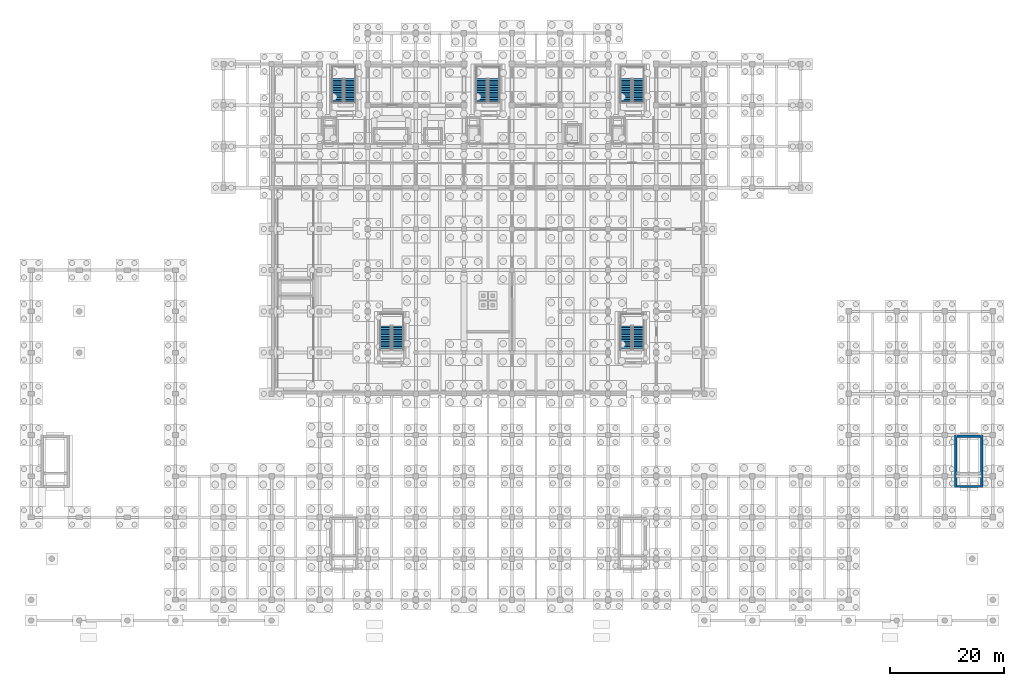
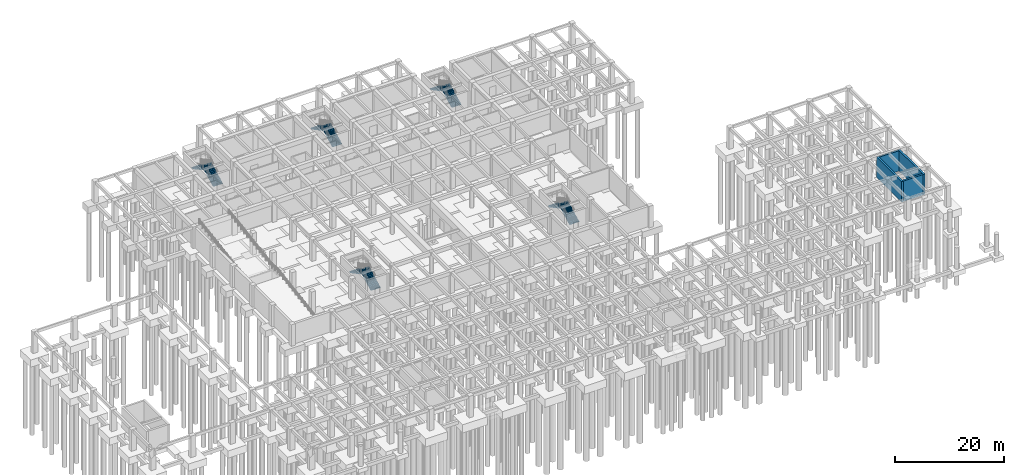
# One storey, part 21 of 26: 10 stair flights, 4 walls, 5 elements without a shape of their own.
"""IFC4 building model written with IfcOpenShell, lengths in metres."""

import ifcopenshell
import ifcopenshell.guid

model = None  # the IFC model being written
_history = None  # IfcOwnerHistory: only IFC2X3 demands one
_inside = {}  # id of a spatial element -> (the spatial element, [elements in it])
_under = {}  # id of a project, library or spatial element -> (it, [spatial elements below it])
_declared = {}  # id of a project -> (the project, [libraries it declares])
_typed = {}  # id of a type object -> (the type object, [elements of that type])
_made_of = {}  # id of a material, layer set ... -> (it, [elements and type objects made of it])


def new_model(schema):
    """Start an empty IFC model of exactly this schema.

    Asked for "IFC4X3", IfcOpenShell would pick the latest addendum, in which some entities
    have other attributes; the version numbers below select the first issue.
    IFC2X3 requires an IfcOwnerHistory on every rooted entity: one is made here for all.
    """
    global model, _history
    if schema == "IFC4X3":
        model = ifcopenshell.file(schema_version=(4, 3, 0, 0))
    else:
        model = ifcopenshell.file(schema=schema)
    _inside.clear()
    _under.clear()
    _declared.clear()
    _typed.clear()
    _made_of.clear()
    _history = None
    if model.schema == "IFC2X3":
        org = make("IfcOrganization", Name="unknown")
        user = make(
            "IfcPersonAndOrganization",
            ThePerson=make("IfcPerson", FamilyName="unknown"),
            TheOrganization=org,
        )
        app = make(
            "IfcApplication",
            ApplicationDeveloper=org,
            Version="unknown",
            ApplicationFullName="unknown",
            ApplicationIdentifier="unknown",
        )
        _history = make(
            "IfcOwnerHistory",
            OwningUser=user,
            OwningApplication=app,
            ChangeAction="ADDED",
            CreationDate=0,
        )
    return model


def make(cls, **values):
    """One entity of the class cls with the attributes given. An attribute that is None is left unset."""
    return model.create_entity(
        cls, **{name: value for name, value in values.items() if value is not None}
    )


def rooted(cls, **values):
    """An entity with a GlobalId (a new one), such as an element, a storey or a relation."""
    return make(cls, GlobalId=ifcopenshell.guid.new(), OwnerHistory=_history, **values)


def si_unit(unit_type, name, prefix=None):
    """IfcSIUnit, for example si_unit("LENGTHUNIT", "METRE", prefix="MILLI")."""
    return make("IfcSIUnit", UnitType=unit_type, Prefix=prefix, Name=name)


def assignment(units):
    """IfcUnitAssignment: the units of a project."""
    return None if units is None else make("IfcUnitAssignment", Units=units)


def point(xyz):
    """IfcCartesianPoint."""
    return None if xyz is None else make("IfcCartesianPoint", Coordinates=xyz)


def direction(xyz):
    """IfcDirection."""
    return None if xyz is None else make("IfcDirection", DirectionRatios=xyz)


def frame(location, z_axis=None, x_axis=None):
    """IfcAxis2Placement3D, a coordinate frame: its origin and axes. An axis left out is left unset."""
    return make(
        "IfcAxis2Placement3D",
        Location=point(location),
        Axis=direction(z_axis),
        RefDirection=direction(x_axis),
    )


def frame_2d(location, x_axis=None):
    """IfcAxis2Placement2D, a coordinate frame in the plane: its origin and x axis."""
    return make(
        "IfcAxis2Placement2D", Location=point(location), RefDirection=direction(x_axis)
    )


def origin():
    """The frame at (0, 0, 0) with its axes left unset."""
    return frame((0.0, 0.0, 0.0))


def place(relative_to, where):
    """IfcLocalPlacement: puts the frame where relative to a parent placement (None: the world)."""
    return make(
        "IfcLocalPlacement", PlacementRelTo=relative_to, RelativePlacement=where
    )


def context(
    kind, dimensions, precision=None, world=None, true_north=None, identifier=None
):
    """IfcGeometricRepresentationContext, for example the 3D "Model" context."""
    return make(
        "IfcGeometricRepresentationContext",
        ContextIdentifier=identifier,
        ContextType=kind,
        CoordinateSpaceDimension=dimensions,
        Precision=precision,
        WorldCoordinateSystem=world,
        TrueNorth=true_north,
    )


def subcontext(parent, identifier, kind, view, scale=None):
    """IfcGeometricRepresentationSubContext, for example "Body" below "Model"."""
    return make(
        "IfcGeometricRepresentationSubContext",
        ContextIdentifier=identifier,
        ContextType=kind,
        ParentContext=parent,
        TargetScale=scale,
        TargetView=view,
    )


def project(units=None, contexts=None):
    """IfcProject with its units and contexts."""
    return rooted(
        "IfcProject",
        Name="project",
        RepresentationContexts=contexts,
        UnitsInContext=assignment(units),
    )


def spatial(cls, under=None, at=None, **own):
    """A site, building, storey or space (cls), placed at a placement, below another one or the project."""
    s = rooted(cls, ObjectPlacement=at, **own)
    if under is not None:
        _under.setdefault(under.id(), (under, []))[1].append(s)
    return s


def polyline(points):
    """IfcPolyline through the points."""
    return make("IfcPolyline", Points=[point(p) for p in points])


def profile(cls, at=None, kind="AREA", **sizes):
    """A parametric profile (cls). Its sizes go by their IFC names, for example OverallWidth=200.0."""
    return make(cls, ProfileType=kind, Position=at, **sizes)


def rectangle(**sizes):
    """IfcRectangleProfileDef."""
    return profile("IfcRectangleProfileDef", **sizes)


def outline(outer, holes=None, kind="AREA"):
    """IfcArbitraryClosedProfileDef: a profile drawn as a closed curve; with holes, ...WithVoids."""
    if holes is None:
        return make("IfcArbitraryClosedProfileDef", ProfileType=kind, OuterCurve=outer)
    return make(
        "IfcArbitraryProfileDefWithVoids",
        ProfileType=kind,
        OuterCurve=outer,
        InnerCurves=holes,
    )


def extrude(swept, where, along, depth):
    """IfcExtrudedAreaSolid: the profile swept, set in the frame where, extruded along a direction by depth."""
    return make(
        "IfcExtrudedAreaSolid",
        SweptArea=swept,
        Position=where,
        ExtrudedDirection=direction(along),
        Depth=depth,
    )


def shape(context_of_items, identifier, shape_type, items):
    """IfcShapeRepresentation: the items that make up one representation, for example the "Body"."""
    return make(
        "IfcShapeRepresentation",
        ContextOfItems=context_of_items,
        RepresentationIdentifier=identifier,
        RepresentationType=shape_type,
        Items=items,
    )


def material(Name=None, Category=None):
    """IfcMaterial."""
    return make("IfcMaterial", Name=Name, Category=Category)


def layer(
    of_material, thickness, ventilated=None, Name=None, Category=None, Priority=None
):
    """IfcMaterialLayer: one layer of a wall or slab, of a material (None: an air gap)."""
    return make(
        "IfcMaterialLayer",
        Material=of_material,
        LayerThickness=thickness,
        IsVentilated=ventilated,
        Name=Name,
        Category=Category,
        Priority=Priority,
    )


def layer_set(layers, Name=None):
    """IfcMaterialLayerSet."""
    return make("IfcMaterialLayerSet", MaterialLayers=layers, LayerSetName=Name)


def made_of(thing, what):
    """Note that an element or type object is made of a material, layer set ...; save() writes the relation."""
    if what is not None:
        _made_of.setdefault(what.id(), (what, []))[1].append(thing)
    return thing


def type_object(cls, material=None, **own):
    """A type object (cls), such as IfcWallType, which elements share."""
    return made_of(rooted(cls, **own), material)


def element(
    cls,
    number,
    at=None,
    inside=None,
    cuts=None,
    type_object=None,
    material=None,
    context=None,
    identifier="Body",
    shape_type=None,
    held_by="IfcProductDefinitionShape",
    body=None,
    shapes=None,
    **own,
):
    """One element of the class cls, such as IfcWall. Its Tag is "e" and its number.

    at: its placement. inside: the storey or other place that contains it. cuts: it is an
    opening in that element (IfcRelVoidsElement). A single representation is given by context,
    identifier, shape_type and body (its items); several are given by shapes. held_by: the class
    of the entity that holds the representations. save() writes the other relations.
    """
    e = rooted(cls, Tag="e%d" % number, ObjectPlacement=at, **own)
    if body is not None:
        shapes = [shape(context, identifier, shape_type, body)]
    if shapes is not None:
        e.Representation = make(held_by, Representations=shapes)
    if inside is not None:
        _inside.setdefault(inside.id(), (inside, []))[1].append(e)
    if cuts is not None:
        rooted(
            "IfcRelVoidsElement", RelatingBuildingElement=cuts, RelatedOpeningElement=e
        )
    if type_object is not None:
        _typed.setdefault(type_object.id(), (type_object, []))[1].append(e)
    return made_of(e, material)


def aggregate(whole, parts):
    """IfcRelAggregates: a whole, such as a stair, and the parts it consists of."""
    return rooted("IfcRelAggregates", RelatingObject=whole, RelatedObjects=parts)


def save(model, path):
    """Write the relations noted so far, then the file.

    IfcRelAggregates (storeys below a building ...), IfcRelContainedInSpatialStructure (elements
    in a storey), IfcRelDefinesByType, IfcRelAssociatesMaterial and IfcRelDeclares: one each for
    every whole, place, type object, material and project.
    """
    for whole, parts in _under.values():
        aggregate(whole, parts)
    for where, things in _inside.values():
        rooted(
            "IfcRelContainedInSpatialStructure",
            RelatedElements=things,
            RelatingStructure=where,
        )
    for kind, things in _typed.values():
        rooted("IfcRelDefinesByType", RelatedObjects=things, RelatingType=kind)
    for what, things in _made_of.values():
        rooted("IfcRelAssociatesMaterial", RelatedObjects=things, RelatingMaterial=what)
    for by, libraries in _declared.values():
        rooted("IfcRelDeclares", RelatingContext=by, RelatedDefinitions=libraries)
    model.write(path)


model = new_model("IFC4")

# Units and contexts
model_context = context("Model", 3, precision=1e-05, world=origin(), true_north=direction((0.0, 1.0)))
body_context = subcontext(model_context, "Body", "Model", "MODEL_VIEW")
ifc_project = project(units=[si_unit("LENGTHUNIT", "METRE"), si_unit("AREAUNIT", "SQUARE_METRE"), si_unit("VOLUMEUNIT", "CUBIC_METRE"), si_unit("PLANEANGLEUNIT", "RADIAN"), si_unit("MASSUNIT", "GRAM", prefix="KILO")], contexts=[model_context])

# Site, building, storey
site_placement = place(None, origin())
site = spatial("IfcSite", under=ifc_project, at=site_placement, CompositionType="ELEMENT")
building_placement = place(site_placement, origin())
building = spatial("IfcBuilding", under=site, at=building_placement, Name="Kenerak Square Central Library", CompositionType="ELEMENT")
storey_placement = place(building_placement, frame((0.0, 0.0, -4.800048828125)))
storey = spatial("IfcBuildingStorey", under=building, at=storey_placement, Name="B1", CompositionType="ELEMENT", Elevation=-4.800048828125)

# Walls
ifc_material = material(Name="Concrete C40/50", Category="concrete")
ifc_layer = layer(ifc_material, 0.39990234375)
ifc_layer_set = layer_set([ifc_layer], Name="Concrete C40/50")
wall_type = type_object("IfcWallType", Name="Core Shear Wall CW-400 C40/50", PredefinedType="SHEAR", material=ifc_layer_set)
for number, where, z_axis, x_axis, name in (
    (1, (169.52001953125, 36.39990234375, 0.0), (0.0, 0.0, 1.0), (0.0, 1.0, 0.0), "Core Wall CW-C7 B1 West"),
    (2, (174.080078125, 45.60009765625, 0.0), (0.0, 0.0, 1.0), (0.0, -1.0, 0.0), "Core Wall CW-C7 B1 East"),
):
    element("IfcWall", number, at=place(storey_placement, frame(where, z_axis=z_axis, x_axis=x_axis)), inside=storey, type_object=wall_type, Name=name, PredefinedType="SHEAR", context=body_context, shape_type="SweptSolid", body=[
        extrude(rectangle(XDim=9.2001953125, YDim=0.39990234375, at=frame_2d((4.60009765625, 0.0))), origin(), (0.0, 0.0, 1.0), 4.574951171875),
    ])
for number, where, z_axis, x_axis, name in (
    (3, (173.8798828125, 36.60009765625, 0.0), (0.0, 0.0, 1.0), (-1.0, 0.0, 0.0), "Core Wall CW-C7 B1 South"),
    (4, (169.719970703125, 45.39990234375, 0.0), (0.0, 0.0, 1.0), (1.0, 0.0, 0.0), "Core Wall CW-C7 B1 North"),
):
    element("IfcWall", number, at=place(storey_placement, frame(where, z_axis=z_axis, x_axis=x_axis)), inside=storey, type_object=wall_type, Name=name, PredefinedType="SHEAR", context=body_context, shape_type="SweptSolid", body=[
        extrude(rectangle(XDim=4.159912109375, YDim=0.39990234375, at=frame_2d((2.080078125, 0.0))), origin(), (0.0, 0.0, 1.0), 4.574951171875),
    ])

# Stair, stair flights
stair_type = type_object("IfcStairType", Name="Exit Dogleg Stair ST-480 C40/50", PredefinedType="HALF_TURN_STAIR", material=ifc_material)
stair_1_placement = place(storey_placement, origin())
stair_1 = element("IfcStair", 5, at=stair_1_placement, inside=storey, type_object=stair_type, Name="B1 Protected Exit Stair ST-01", PredefinedType="HALF_TURN_STAIR")
stair_flight_type = type_object("IfcStairFlightType", Name="Exit Stair Flight FL-15 C40/50", PredefinedType="STRAIGHT", material=ifc_material)
stair_flight_1_placement = place(storey_placement, frame((63.68994140625, 103.64990234375, 0.0), z_axis=(0.0, 0.0, 1.0), x_axis=(0.0, 1.0, 0.0)))
stair_flight_1 = element("IfcStairFlight", 6, at=stair_flight_1_placement, type_object=stair_flight_type, Name="ST-01 Flight 1", NumberOfRisers=15, NumberOfTreads=14, PredefinedType="STRAIGHT", RiserHeight=0.16, TreadLength=0.3, context=body_context, shape_type="SweptSolid", body=[
    extrude(outline(polyline([(0.0, 0.0), (0.0, 0.159912109375), (0.300048828125, 0.159912109375), (0.300048828125, 0.320068359375), (0.60009765625, 0.320068359375), (0.60009765625, 0.47998046875), (0.89990234375, 0.47998046875), (0.89990234375, 0.639892578125), (1.199951171875, 0.639892578125), (1.199951171875, 0.800048828125), (1.5, 0.800048828125), (1.5, 0.9599609375), (1.800048828125, 0.9599609375), (1.800048828125, 1.1201171875), (2.10009765625, 1.1201171875), (2.10009765625, 1.280029296875), (2.39990234375, 1.280029296875), (2.39990234375, 1.43994140625), (2.699951171875, 1.43994140625), (2.699951171875, 1.60009765625), (3.0, 1.60009765625), (3.0, 1.760009765625), (3.300048828125, 1.760009765625), (3.300048828125, 1.919921875), (3.60009765625, 1.919921875), (3.60009765625, 2.080078125), (3.89990234375, 2.080078125), (3.89990234375, 2.239990234375), (4.199951171875, 2.239990234375), (4.199951171875, 2.39990234375), (4.199951171875, 2.0361328125), (0.38232421875, 0.0), (0.0, 0.0)])), frame((0.0, 0.989990234375, 0.0), z_axis=(0.0, -1.0, 0.0), x_axis=(1.0, 0.0, 0.0)), (0.0, 0.0, 1.0), 1.97998046875),
])
stair_flight_2_placement = place(storey_placement, frame((61.510009765625, 107.85009765625, 2.400146484375), z_axis=(0.0, 0.0, 1.0), x_axis=(0.0, -1.0, 0.0)))
stair_flight_2 = element("IfcStairFlight", 7, at=stair_flight_2_placement, type_object=stair_flight_type, Name="ST-01 Flight 2", NumberOfRisers=15, NumberOfTreads=14, PredefinedType="STRAIGHT", RiserHeight=0.16, TreadLength=0.3, context=body_context, shape_type="SweptSolid", body=[
    extrude(outline(polyline([(0.0, 0.0), (0.0, 0.159912109375), (0.300048828125, 0.159912109375), (0.300048828125, 0.320068359375), (0.60009765625, 0.320068359375), (0.60009765625, 0.47998046875), (0.89990234375, 0.47998046875), (0.89990234375, 0.639892578125), (1.199951171875, 0.639892578125), (1.199951171875, 0.800048828125), (1.5, 0.800048828125), (1.5, 0.9599609375), (1.800048828125, 0.9599609375), (1.800048828125, 1.1201171875), (2.10009765625, 1.1201171875), (2.10009765625, 1.280029296875), (2.39990234375, 1.280029296875), (2.39990234375, 1.43994140625), (2.699951171875, 1.43994140625), (2.699951171875, 1.60009765625), (3.0, 1.60009765625), (3.0, 1.760009765625), (3.300048828125, 1.760009765625), (3.300048828125, 1.919921875), (3.60009765625, 1.919921875), (3.60009765625, 2.080078125), (3.89990234375, 2.080078125), (3.89990234375, 2.239990234375), (4.199951171875, 2.239990234375), (4.199951171875, 2.39990234375), (4.199951171875, 2.0361328125), (0.38232421875, 0.0), (0.0, 0.0)])), frame((0.0, 0.989990234375, 0.0), z_axis=(0.0, -1.0, 0.0), x_axis=(1.0, 0.0, 0.0)), (0.0, 0.0, 1.0), 1.97998046875),
])
aggregate(stair_1, [stair_flight_1, stair_flight_2])

stair_2_placement = place(storey_placement, origin())
stair_2 = element("IfcStair", 8, at=stair_2_placement, inside=storey, type_object=stair_type, Name="B1 Protected Exit Stair ST-02", PredefinedType="HALF_TURN_STAIR")
stair_flight_3_placement = place(storey_placement, frame((88.889892578125, 103.64990234375, 0.0), z_axis=(0.0, 0.0, 1.0), x_axis=(0.0, 1.0, 0.0)))
stair_flight_3 = element("IfcStairFlight", 9, at=stair_flight_3_placement, type_object=stair_flight_type, Name="ST-02 Flight 1", NumberOfRisers=15, NumberOfTreads=14, PredefinedType="STRAIGHT", RiserHeight=0.16, TreadLength=0.3, context=body_context, shape_type="SweptSolid", body=[
    extrude(outline(polyline([(0.0, 0.0), (0.0, 0.159912109375), (0.300048828125, 0.159912109375), (0.300048828125, 0.320068359375), (0.60009765625, 0.320068359375), (0.60009765625, 0.47998046875), (0.89990234375, 0.47998046875), (0.89990234375, 0.639892578125), (1.199951171875, 0.639892578125), (1.199951171875, 0.800048828125), (1.5, 0.800048828125), (1.5, 0.9599609375), (1.800048828125, 0.9599609375), (1.800048828125, 1.1201171875), (2.10009765625, 1.1201171875), (2.10009765625, 1.280029296875), (2.39990234375, 1.280029296875), (2.39990234375, 1.43994140625), (2.699951171875, 1.43994140625), (2.699951171875, 1.60009765625), (3.0, 1.60009765625), (3.0, 1.760009765625), (3.300048828125, 1.760009765625), (3.300048828125, 1.919921875), (3.60009765625, 1.919921875), (3.60009765625, 2.080078125), (3.89990234375, 2.080078125), (3.89990234375, 2.239990234375), (4.199951171875, 2.239990234375), (4.199951171875, 2.39990234375), (4.199951171875, 2.0361328125), (0.38232421875, 0.0), (0.0, 0.0)])), frame((0.0, 0.989990234375, 0.0), z_axis=(0.0, -1.0, 0.0), x_axis=(1.0, 0.0, 0.0)), (0.0, 0.0, 1.0), 1.97998046875),
])
stair_flight_4_placement = place(storey_placement, frame((86.7099609375, 107.85009765625, 2.400146484375), z_axis=(0.0, 0.0, 1.0), x_axis=(0.0, -1.0, 0.0)))
stair_flight_4 = element("IfcStairFlight", 10, at=stair_flight_4_placement, type_object=stair_flight_type, Name="ST-02 Flight 2", NumberOfRisers=15, NumberOfTreads=14, PredefinedType="STRAIGHT", RiserHeight=0.16, TreadLength=0.3, context=body_context, shape_type="SweptSolid", body=[
    extrude(outline(polyline([(0.0, 0.0), (0.0, 0.159912109375), (0.300048828125, 0.159912109375), (0.300048828125, 0.320068359375), (0.60009765625, 0.320068359375), (0.60009765625, 0.47998046875), (0.89990234375, 0.47998046875), (0.89990234375, 0.639892578125), (1.199951171875, 0.639892578125), (1.199951171875, 0.800048828125), (1.5, 0.800048828125), (1.5, 0.9599609375), (1.800048828125, 0.9599609375), (1.800048828125, 1.1201171875), (2.10009765625, 1.1201171875), (2.10009765625, 1.280029296875), (2.39990234375, 1.280029296875), (2.39990234375, 1.43994140625), (2.699951171875, 1.43994140625), (2.699951171875, 1.60009765625), (3.0, 1.60009765625), (3.0, 1.760009765625), (3.300048828125, 1.760009765625), (3.300048828125, 1.919921875), (3.60009765625, 1.919921875), (3.60009765625, 2.080078125), (3.89990234375, 2.080078125), (3.89990234375, 2.239990234375), (4.199951171875, 2.239990234375), (4.199951171875, 2.39990234375), (4.199951171875, 2.0361328125), (0.38232421875, 0.0), (0.0, 0.0)])), frame((0.0, 0.989990234375, 0.0), z_axis=(0.0, -1.0, 0.0), x_axis=(1.0, 0.0, 0.0)), (0.0, 0.0, 1.0), 1.97998046875),
])
aggregate(stair_2, [stair_flight_3, stair_flight_4])

stair_3_placement = place(storey_placement, origin())
stair_3 = element("IfcStair", 11, at=stair_3_placement, inside=storey, type_object=stair_type, Name="B1 Protected Exit Stair ST-03", PredefinedType="HALF_TURN_STAIR")
stair_flight_5_placement = place(storey_placement, frame((114.090087890625, 103.64990234375, 0.0), z_axis=(0.0, 0.0, 1.0), x_axis=(0.0, 1.0, 0.0)))
stair_flight_5 = element("IfcStairFlight", 12, at=stair_flight_5_placement, type_object=stair_flight_type, Name="ST-03 Flight 1", NumberOfRisers=15, NumberOfTreads=14, PredefinedType="STRAIGHT", RiserHeight=0.16, TreadLength=0.3, context=body_context, shape_type="SweptSolid", body=[
    extrude(outline(polyline([(0.0, 0.0), (0.0, 0.159912109375), (0.300048828125, 0.159912109375), (0.300048828125, 0.320068359375), (0.60009765625, 0.320068359375), (0.60009765625, 0.47998046875), (0.89990234375, 0.47998046875), (0.89990234375, 0.639892578125), (1.199951171875, 0.639892578125), (1.199951171875, 0.800048828125), (1.5, 0.800048828125), (1.5, 0.9599609375), (1.800048828125, 0.9599609375), (1.800048828125, 1.1201171875), (2.10009765625, 1.1201171875), (2.10009765625, 1.280029296875), (2.39990234375, 1.280029296875), (2.39990234375, 1.43994140625), (2.699951171875, 1.43994140625), (2.699951171875, 1.60009765625), (3.0, 1.60009765625), (3.0, 1.760009765625), (3.300048828125, 1.760009765625), (3.300048828125, 1.919921875), (3.60009765625, 1.919921875), (3.60009765625, 2.080078125), (3.89990234375, 2.080078125), (3.89990234375, 2.239990234375), (4.199951171875, 2.239990234375), (4.199951171875, 2.39990234375), (4.199951171875, 2.0361328125), (0.38232421875, 0.0), (0.0, 0.0)])), frame((0.0, 0.989990234375, 0.0), z_axis=(0.0, -1.0, 0.0), x_axis=(1.0, 0.0, 0.0)), (0.0, 0.0, 1.0), 1.97998046875),
])
stair_flight_6_placement = place(storey_placement, frame((111.909912109375, 107.85009765625, 2.400146484375), z_axis=(0.0, 0.0, 1.0), x_axis=(0.0, -1.0, 0.0)))
stair_flight_6 = element("IfcStairFlight", 13, at=stair_flight_6_placement, type_object=stair_flight_type, Name="ST-03 Flight 2", NumberOfRisers=15, NumberOfTreads=14, PredefinedType="STRAIGHT", RiserHeight=0.16, TreadLength=0.3, context=body_context, shape_type="SweptSolid", body=[
    extrude(outline(polyline([(0.0, 0.0), (0.0, 0.159912109375), (0.300048828125, 0.159912109375), (0.300048828125, 0.320068359375), (0.60009765625, 0.320068359375), (0.60009765625, 0.47998046875), (0.89990234375, 0.47998046875), (0.89990234375, 0.639892578125), (1.199951171875, 0.639892578125), (1.199951171875, 0.800048828125), (1.5, 0.800048828125), (1.5, 0.9599609375), (1.800048828125, 0.9599609375), (1.800048828125, 1.1201171875), (2.10009765625, 1.1201171875), (2.10009765625, 1.280029296875), (2.39990234375, 1.280029296875), (2.39990234375, 1.43994140625), (2.699951171875, 1.43994140625), (2.699951171875, 1.60009765625), (3.0, 1.60009765625), (3.0, 1.760009765625), (3.300048828125, 1.760009765625), (3.300048828125, 1.919921875), (3.60009765625, 1.919921875), (3.60009765625, 2.080078125), (3.89990234375, 2.080078125), (3.89990234375, 2.239990234375), (4.199951171875, 2.239990234375), (4.199951171875, 2.39990234375), (4.199951171875, 2.0361328125), (0.38232421875, 0.0), (0.0, 0.0)])), frame((0.0, 0.989990234375, 0.0), z_axis=(0.0, -1.0, 0.0), x_axis=(1.0, 0.0, 0.0)), (0.0, 0.0, 1.0), 1.97998046875),
])
aggregate(stair_3, [stair_flight_5, stair_flight_6])

stair_4_placement = place(storey_placement, origin())
stair_4 = element("IfcStair", 14, at=stair_4_placement, inside=storey, type_object=stair_type, Name="B1 Protected Exit Stair ST-08", PredefinedType="HALF_TURN_STAIR")
stair_flight_7_placement = place(storey_placement, frame((72.090087890625, 60.449951171875, 0.0), z_axis=(0.0, 0.0, 1.0), x_axis=(0.0, 1.0, 0.0)))
stair_flight_7 = element("IfcStairFlight", 15, at=stair_flight_7_placement, type_object=stair_flight_type, Name="ST-08 Flight 1", NumberOfRisers=15, NumberOfTreads=14, PredefinedType="STRAIGHT", RiserHeight=0.16, TreadLength=0.3, context=body_context, shape_type="SweptSolid", body=[
    extrude(outline(polyline([(0.0, 0.0), (0.0, 0.159912109375), (0.300048828125, 0.159912109375), (0.300048828125, 0.320068359375), (0.60009765625, 0.320068359375), (0.60009765625, 0.47998046875), (0.89990234375, 0.47998046875), (0.89990234375, 0.639892578125), (1.199951171875, 0.639892578125), (1.199951171875, 0.800048828125), (1.5, 0.800048828125), (1.5, 0.9599609375), (1.800048828125, 0.9599609375), (1.800048828125, 1.1201171875), (2.10009765625, 1.1201171875), (2.10009765625, 1.280029296875), (2.39990234375, 1.280029296875), (2.39990234375, 1.43994140625), (2.699951171875, 1.43994140625), (2.699951171875, 1.60009765625), (3.0, 1.60009765625), (3.0, 1.760009765625), (3.300048828125, 1.760009765625), (3.300048828125, 1.919921875), (3.60009765625, 1.919921875), (3.60009765625, 2.080078125), (3.89990234375, 2.080078125), (3.89990234375, 2.239990234375), (4.199951171875, 2.239990234375), (4.199951171875, 2.39990234375), (4.199951171875, 2.0361328125), (0.38232421875, 0.0), (0.0, 0.0)])), frame((0.0, 0.989990234375, 0.0), z_axis=(0.0, -1.0, 0.0), x_axis=(1.0, 0.0, 0.0)), (0.0, 0.0, 1.0), 1.97998046875),
])
stair_flight_8_placement = place(storey_placement, frame((69.909912109375, 64.64990234375, 2.400146484375), z_axis=(0.0, 0.0, 1.0), x_axis=(0.0, -1.0, 0.0)))
stair_flight_8 = element("IfcStairFlight", 16, at=stair_flight_8_placement, type_object=stair_flight_type, Name="ST-08 Flight 2", NumberOfRisers=15, NumberOfTreads=14, PredefinedType="STRAIGHT", RiserHeight=0.16, TreadLength=0.3, context=body_context, shape_type="SweptSolid", body=[
    extrude(outline(polyline([(0.0, 0.0), (0.0, 0.159912109375), (0.300048828125, 0.159912109375), (0.300048828125, 0.320068359375), (0.60009765625, 0.320068359375), (0.60009765625, 0.47998046875), (0.89990234375, 0.47998046875), (0.89990234375, 0.639892578125), (1.199951171875, 0.639892578125), (1.199951171875, 0.800048828125), (1.5, 0.800048828125), (1.5, 0.9599609375), (1.800048828125, 0.9599609375), (1.800048828125, 1.1201171875), (2.10009765625, 1.1201171875), (2.10009765625, 1.280029296875), (2.39990234375, 1.280029296875), (2.39990234375, 1.43994140625), (2.699951171875, 1.43994140625), (2.699951171875, 1.60009765625), (3.0, 1.60009765625), (3.0, 1.760009765625), (3.300048828125, 1.760009765625), (3.300048828125, 1.919921875), (3.60009765625, 1.919921875), (3.60009765625, 2.080078125), (3.89990234375, 2.080078125), (3.89990234375, 2.239990234375), (4.199951171875, 2.239990234375), (4.199951171875, 2.39990234375), (4.199951171875, 2.0361328125), (0.38232421875, 0.0), (0.0, 0.0)])), frame((0.0, 0.989990234375, 0.0), z_axis=(0.0, -1.0, 0.0), x_axis=(1.0, 0.0, 0.0)), (0.0, 0.0, 1.0), 1.97998046875),
])
aggregate(stair_4, [stair_flight_7, stair_flight_8])

stair_5_placement = place(storey_placement, origin())
stair_5 = element("IfcStair", 17, at=stair_5_placement, inside=storey, type_object=stair_type, Name="B1 Protected Exit Stair ST-09", PredefinedType="HALF_TURN_STAIR")
stair_flight_9_placement = place(storey_placement, frame((114.090087890625, 60.449951171875, 0.0), z_axis=(0.0, 0.0, 1.0), x_axis=(0.0, 1.0, 0.0)))
stair_flight_9 = element("IfcStairFlight", 18, at=stair_flight_9_placement, type_object=stair_flight_type, Name="ST-09 Flight 1", NumberOfRisers=15, NumberOfTreads=14, PredefinedType="STRAIGHT", RiserHeight=0.16, TreadLength=0.3, context=body_context, shape_type="SweptSolid", body=[
    extrude(outline(polyline([(0.0, 0.0), (0.0, 0.159912109375), (0.300048828125, 0.159912109375), (0.300048828125, 0.320068359375), (0.60009765625, 0.320068359375), (0.60009765625, 0.47998046875), (0.89990234375, 0.47998046875), (0.89990234375, 0.639892578125), (1.199951171875, 0.639892578125), (1.199951171875, 0.800048828125), (1.5, 0.800048828125), (1.5, 0.9599609375), (1.800048828125, 0.9599609375), (1.800048828125, 1.1201171875), (2.10009765625, 1.1201171875), (2.10009765625, 1.280029296875), (2.39990234375, 1.280029296875), (2.39990234375, 1.43994140625), (2.699951171875, 1.43994140625), (2.699951171875, 1.60009765625), (3.0, 1.60009765625), (3.0, 1.760009765625), (3.300048828125, 1.760009765625), (3.300048828125, 1.919921875), (3.60009765625, 1.919921875), (3.60009765625, 2.080078125), (3.89990234375, 2.080078125), (3.89990234375, 2.239990234375), (4.199951171875, 2.239990234375), (4.199951171875, 2.39990234375), (4.199951171875, 2.0361328125), (0.38232421875, 0.0), (0.0, 0.0)])), frame((0.0, 0.989990234375, 0.0), z_axis=(0.0, -1.0, 0.0), x_axis=(1.0, 0.0, 0.0)), (0.0, 0.0, 1.0), 1.97998046875),
])
stair_flight_10_placement = place(storey_placement, frame((111.909912109375, 64.64990234375, 2.400146484375), z_axis=(0.0, 0.0, 1.0), x_axis=(0.0, -1.0, 0.0)))
stair_flight_10 = element("IfcStairFlight", 19, at=stair_flight_10_placement, type_object=stair_flight_type, Name="ST-09 Flight 2", NumberOfRisers=15, NumberOfTreads=14, PredefinedType="STRAIGHT", RiserHeight=0.16, TreadLength=0.3, context=body_context, shape_type="SweptSolid", body=[
    extrude(outline(polyline([(0.0, 0.0), (0.0, 0.159912109375), (0.300048828125, 0.159912109375), (0.300048828125, 0.320068359375), (0.60009765625, 0.320068359375), (0.60009765625, 0.47998046875), (0.89990234375, 0.47998046875), (0.89990234375, 0.639892578125), (1.199951171875, 0.639892578125), (1.199951171875, 0.800048828125), (1.5, 0.800048828125), (1.5, 0.9599609375), (1.800048828125, 0.9599609375), (1.800048828125, 1.1201171875), (2.10009765625, 1.1201171875), (2.10009765625, 1.280029296875), (2.39990234375, 1.280029296875), (2.39990234375, 1.43994140625), (2.699951171875, 1.43994140625), (2.699951171875, 1.60009765625), (3.0, 1.60009765625), (3.0, 1.760009765625), (3.300048828125, 1.760009765625), (3.300048828125, 1.919921875), (3.60009765625, 1.919921875), (3.60009765625, 2.080078125), (3.89990234375, 2.080078125), (3.89990234375, 2.239990234375), (4.199951171875, 2.239990234375), (4.199951171875, 2.39990234375), (4.199951171875, 2.0361328125), (0.38232421875, 0.0), (0.0, 0.0)])), frame((0.0, 0.989990234375, 0.0), z_axis=(0.0, -1.0, 0.0), x_axis=(1.0, 0.0, 0.0)), (0.0, 0.0, 1.0), 1.97998046875),
])
aggregate(stair_5, [stair_flight_9, stair_flight_10])

save(model, "model.ifc")
